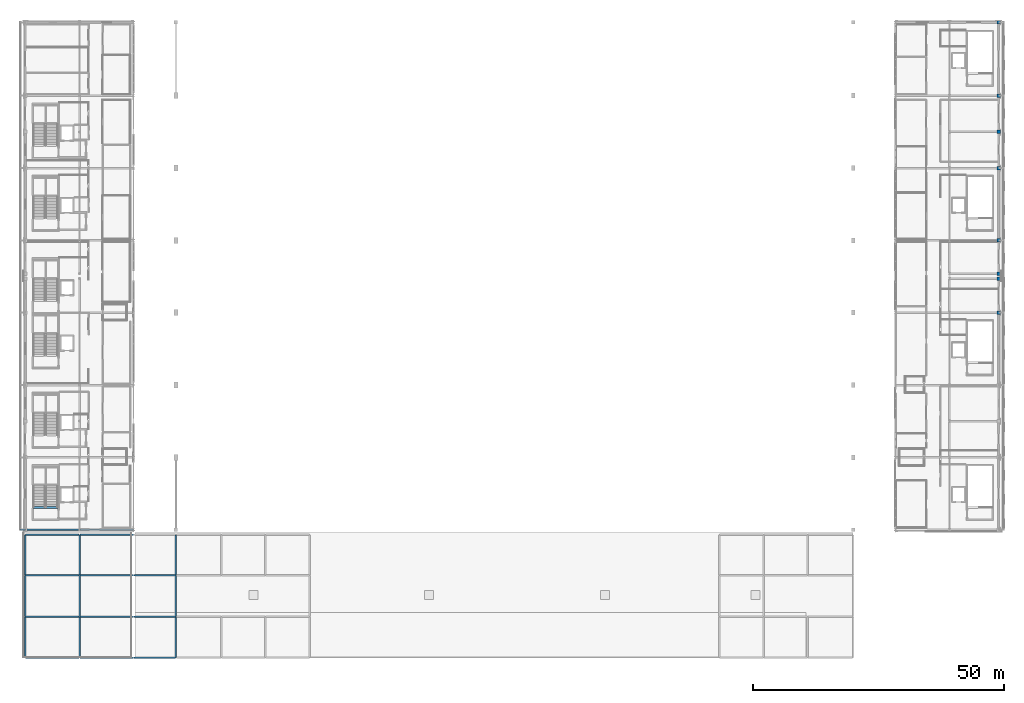
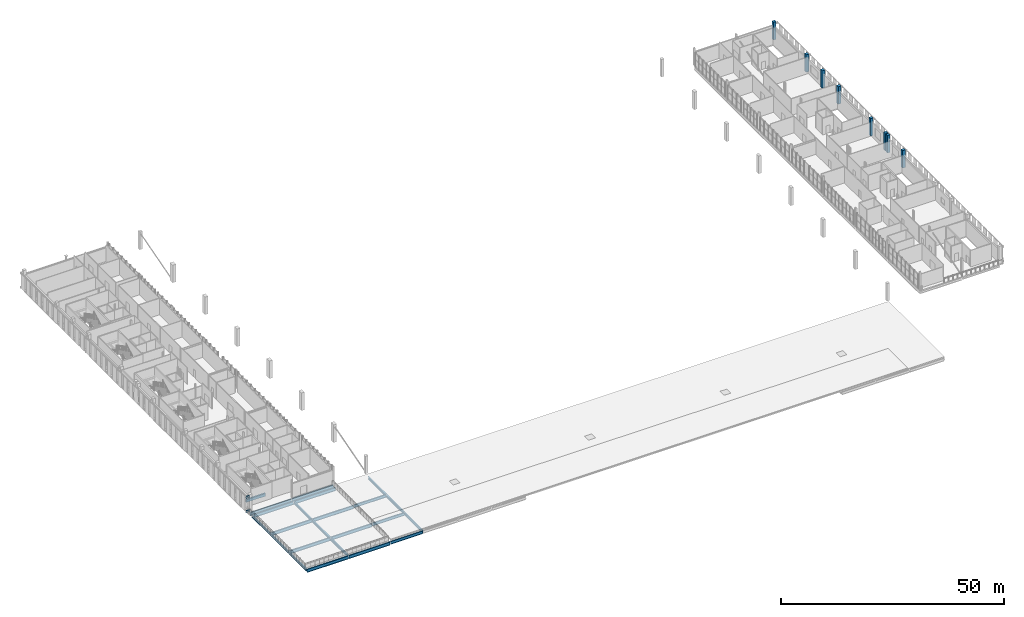
# One storey, part 6 of 51: 25 beams, 8 columns.
"""IFC4 building model written with IfcOpenShell, lengths in metres."""

from ifc_helpers import new_model, si_unit, direction, frame, origin, origin_2d, place, context, subcontext, project, spatial, rectangle, i_section, extrude, material, material_profile, profile_set, type_object, element, save


model = new_model("IFC4")

# Units and contexts
model_context = context("Model", 3, precision=1e-05, world=origin(), true_north=direction((0.0, 1.0)))
body_context = subcontext(model_context, "Body", "Model", "MODEL_VIEW")
ifc_project = project(units=[si_unit("LENGTHUNIT", "METRE"), si_unit("AREAUNIT", "SQUARE_METRE"), si_unit("VOLUMEUNIT", "CUBIC_METRE"), si_unit("PLANEANGLEUNIT", "RADIAN"), si_unit("MASSUNIT", "GRAM", prefix="KILO")], contexts=[model_context])

# Site, building, storey
site_placement = place(None, origin())
site = spatial("IfcSite", under=ifc_project, at=site_placement, CompositionType="ELEMENT")
building_placement = place(site_placement, origin())
building = spatial("IfcBuilding", under=site, at=building_placement, Name="Koshinbarg Plaza Stadium", CompositionType="ELEMENT")
storey_placement = place(building_placement, frame((0.0, 0.0, 24.60009765625)))
storey = spatial("IfcBuildingStorey", under=building, at=storey_placement, Name="L05", CompositionType="ELEMENT", Elevation=24.60009765625)

# Columns
ifc_material_1 = material(Name="Concrete C40/50", Category="concrete")
ifc_material_profile_1 = material_profile(ifc_material_1, rectangle(XDim=0.699951171875, YDim=0.699951171875, at=origin_2d()), Name="RC 700x700")
ifc_profile_set_1 = profile_set([ifc_material_profile_1], Name="Concrete C40/50")
column_type = type_object("IfcColumnType", Name="COL-RC-06", PredefinedType="COLUMN", material=ifc_profile_set_1)
for number, where, z_axis, x_axis, name in (
    (1, (218.39990234375, 68.699951171875, 0.0), (0.0, 0.0, 1.0), (1.0, 0.0, 0.0), "L05 column 21/J"),
    (2, (218.39990234375, 75.5, 0.0), (0.0, 0.0, 1.0), (1.0, 0.0, 0.0), "L05 column 21/K"),
    (3, (218.39990234375, 76.5, 0.0), (0.0, 0.0, 1.0), (1.0, 0.0, 0.0), "L05 column 21/L"),
    (4, (218.39990234375, 83.10009765625, 0.0), (0.0, 0.0, 1.0), (1.0, 0.0, 0.0), "L05 column 21/M"),
    (5, (218.39990234375, 97.5, 0.0), (0.0, 0.0, 1.0), (1.0, 0.0, 0.0), "L05 column 21/N"),
    (6, (218.39990234375, 104.699951171875, 0.0), (0.0, 0.0, 1.0), (1.0, 0.0, 0.0), "L05 column 21/P"),
    (7, (218.39990234375, 111.89990234375, 0.0), (0.0, 0.0, 1.0), (1.0, 0.0, 0.0), "L05 column 21/Q"),
    (8, (218.39990234375, 126.5, 0.0), (0.0, 0.0, 1.0), (1.0, 0.0, 0.0), "L05 column 21/R"),
):
    element("IfcColumn", number, at=place(storey_placement, frame(where, z_axis=z_axis, x_axis=x_axis)), inside=storey, type_object=column_type, Name=name, PredefinedType="COLUMN", context=body_context, shape_type="SweptSolid", body=[
        extrude(rectangle(XDim=0.699951171875, YDim=0.699951171875, at=origin_2d()), origin(), (0.0, 0.0, 1.0), 4.7998046875),
    ])

# Beams
ifc_material_2 = material(Name="Steel S355", Category="steel")
ifc_material_profile_2 = material_profile(ifc_material_2, i_section(OverallWidth=0.300048828125, OverallDepth=0.5, WebThickness=0.014404296875, FlangeThickness=0.028076171875, at=origin_2d()), Name="HEB 500")
ifc_profile_set_2 = profile_set([ifc_material_profile_2], Name="Steel S355")
beam_type_1 = type_object("IfcBeamType", Name="BM-CANOPY-CANT", PredefinedType="BEAM", material=ifc_profile_set_2)
for number, where, z_axis, x_axis, name in (
    (9, (24.60009765625, 25.5, 0.25), (-1.0, 0.0, 0.0), (0.0, -1.0, 0.0), "Outer screen cantilever outrigger W-L05-Y01"),
    (10, (24.60009765625, 25.5, 4.179931640625), (-1.0, 0.0, 0.0), (0.0, -1.0, 0.0), "Outer screen cantilever outrigger W-L05-Y01"),
):
    element("IfcBeam", number, at=place(storey_placement, frame(where, z_axis=z_axis, x_axis=x_axis)), inside=storey, type_object=beam_type_1, Name=name, PredefinedType="BEAM", context=body_context, shape_type="SweptSolid", body=[
        extrude(i_section(OverallWidth=0.300048828125, OverallDepth=0.5, WebThickness=0.014404296875, FlangeThickness=0.028076171875, at=origin_2d()), origin(), (0.0, 0.0, 1.0), 1.030029296875),
    ])
ifc_material_profile_3 = material_profile(ifc_material_1, rectangle(XDim=0.39990234375, YDim=0.75, at=origin_2d()), Name="RC 400x750")
ifc_profile_set_3 = profile_set([ifc_material_profile_3], Name="Concrete C40/50")
beam_type_2 = type_object("IfcBeamType", Name="BM-RCG-03", PredefinedType="USERDEFINED", material=ifc_profile_set_3)
beam_1_placement = place(storey_placement, frame((26.14990234375, 29.9599609375, -0.375), z_axis=(1.0, 0.0, 0.0), x_axis=(0.0, 1.0, 0.0)))
element("IfcBeam", 11, at=beam_1_placement, inside=storey, type_object=beam_type_2, Name="L05 stair landing header beam C01", ObjectType="GIRDER", PredefinedType="USERDEFINED", context=body_context, shape_type="SweptSolid", body=[
    extrude(rectangle(XDim=0.39990234375, YDim=0.75, at=origin_2d()), origin(), (0.0, 0.0, 1.0), 4.97021484375),
])
ifc_material_profile_4 = material_profile(ifc_material_2, i_section(OverallWidth=0.300048828125, OverallDepth=0.60009765625, WebThickness=0.015380859375, FlangeThickness=0.030029296875, at=origin_2d()), Name="HEB 600")
ifc_profile_set_4 = profile_set([ifc_material_profile_4], Name="Steel S355")
beam_type_3 = type_object("IfcBeamType", Name="BM-SGIR-02", PredefinedType="USERDEFINED", material=ifc_profile_set_4)
beam_2_placement = place(storey_placement, frame((24.60009765625, 0.06005859375, -0.66015625), z_axis=(0.0, 1.0, 0.0), x_axis=(-1.0, 0.0, 0.0)))
element("IfcBeam", 12, at=beam_2_placement, inside=storey, type_object=beam_type_3, Name="L05 Y girder 5/A-B", ObjectType="GIRDER", PredefinedType="USERDEFINED", context=body_context, shape_type="SweptSolid", body=[
    extrude(i_section(OverallWidth=0.300048828125, OverallDepth=0.60009765625, WebThickness=0.015380859375, FlangeThickness=0.030029296875, at=origin_2d()), origin(), (0.0, 0.0, 1.0), 8.079833984375),
])
beam_3_placement = place(storey_placement, frame((24.60009765625, 8.260009765625, -0.66015625), z_axis=(0.0, 1.0, 0.0), x_axis=(-1.0, 0.0, 0.0)))
element("IfcBeam", 13, at=beam_3_placement, inside=storey, type_object=beam_type_3, Name="L05 Y girder 5/B-C", ObjectType="GIRDER", PredefinedType="USERDEFINED", context=body_context, shape_type="SweptSolid", body=[
    extrude(i_section(OverallWidth=0.300048828125, OverallDepth=0.60009765625, WebThickness=0.015380859375, FlangeThickness=0.030029296875, at=origin_2d()), origin(), (0.0, 0.0, 1.0), 8.080078125),
])
beam_4_placement = place(storey_placement, frame((24.60009765625, 16.4599609375, -0.66015625), z_axis=(0.0, 1.0, 0.0), x_axis=(-1.0, 0.0, 0.0)))
element("IfcBeam", 14, at=beam_4_placement, inside=storey, type_object=beam_type_3, Name="L05 Y girder 5/C-D", ObjectType="GIRDER", PredefinedType="USERDEFINED", context=body_context, shape_type="SweptSolid", body=[
    extrude(i_section(OverallWidth=0.300048828125, OverallDepth=0.60009765625, WebThickness=0.015380859375, FlangeThickness=0.030029296875, at=origin_2d()), origin(), (0.0, 0.0, 1.0), 7.97998046875),
])
ifc_material_profile_5 = material_profile(ifc_material_2, i_section(OverallWidth=0.300048828125, OverallDepth=0.699951171875, WebThickness=0.01708984375, FlangeThickness=0.031982421875, at=origin_2d()), Name="HEB 700")
ifc_profile_set_5 = profile_set([ifc_material_profile_5], Name="Steel S355")
beam_type_4 = type_object("IfcBeamType", Name="BM-SGIR-03", PredefinedType="USERDEFINED", material=ifc_profile_set_5)
beam_5_placement = place(storey_placement, frame((35.39990234375, 0.06005859375, -0.710205078125), z_axis=(0.0, 1.0, 0.0), x_axis=(-1.0, 0.0, 0.0)))
element("IfcBeam", 15, at=beam_5_placement, inside=storey, type_object=beam_type_4, Name="L05 Y girder 6/A-B", ObjectType="GIRDER", PredefinedType="USERDEFINED", context=body_context, shape_type="SweptSolid", body=[
    extrude(i_section(OverallWidth=0.300048828125, OverallDepth=0.699951171875, WebThickness=0.01708984375, FlangeThickness=0.031982421875, at=origin_2d()), origin(), (0.0, 0.0, 1.0), 8.079833984375),
])
beam_6_placement = place(storey_placement, frame((35.39990234375, 8.260009765625, -0.710205078125), z_axis=(0.0, 1.0, 0.0), x_axis=(-1.0, 0.0, 0.0)))
element("IfcBeam", 16, at=beam_6_placement, inside=storey, type_object=beam_type_4, Name="L05 Y girder 6/B-C", ObjectType="GIRDER", PredefinedType="USERDEFINED", context=body_context, shape_type="SweptSolid", body=[
    extrude(i_section(OverallWidth=0.300048828125, OverallDepth=0.699951171875, WebThickness=0.01708984375, FlangeThickness=0.031982421875, at=origin_2d()), origin(), (0.0, 0.0, 1.0), 8.080078125),
])
beam_7_placement = place(storey_placement, frame((35.39990234375, 16.4599609375, -0.710205078125), z_axis=(0.0, 1.0, 0.0), x_axis=(-1.0, 0.0, 0.0)))
element("IfcBeam", 17, at=beam_7_placement, inside=storey, type_object=beam_type_4, Name="L05 Y girder 6/C-D", ObjectType="GIRDER", PredefinedType="USERDEFINED", context=body_context, shape_type="SweptSolid", body=[
    extrude(i_section(OverallWidth=0.300048828125, OverallDepth=0.699951171875, WebThickness=0.01708984375, FlangeThickness=0.031982421875, at=origin_2d()), origin(), (0.0, 0.0, 1.0), 7.97998046875),
])
beam_8_placement = place(storey_placement, frame((54.60009765625, 0.06005859375, -0.650146484375), z_axis=(0.0, 1.0, 0.0), x_axis=(-1.0, 0.0, 0.0)))
element("IfcBeam", 18, at=beam_8_placement, inside=storey, type_object=beam_type_4, Name="L05 Y girder 8/A-B", ObjectType="GIRDER", PredefinedType="USERDEFINED", context=body_context, shape_type="SweptSolid", body=[
    extrude(i_section(OverallWidth=0.300048828125, OverallDepth=0.699951171875, WebThickness=0.01708984375, FlangeThickness=0.031982421875, at=origin_2d()), origin(), (0.0, 0.0, 1.0), 8.079833984375),
])
beam_9_placement = place(storey_placement, frame((54.60009765625, 8.260009765625, -0.650146484375), z_axis=(0.0, 1.0, 0.0), x_axis=(-1.0, 0.0, 0.0)))
element("IfcBeam", 19, at=beam_9_placement, inside=storey, type_object=beam_type_4, Name="L05 Y girder 8/B-C", ObjectType="GIRDER", PredefinedType="USERDEFINED", context=body_context, shape_type="SweptSolid", body=[
    extrude(i_section(OverallWidth=0.300048828125, OverallDepth=0.699951171875, WebThickness=0.01708984375, FlangeThickness=0.031982421875, at=origin_2d()), origin(), (0.0, 0.0, 1.0), 8.080078125),
])
beam_10_placement = place(storey_placement, frame((54.60009765625, 16.4599609375, -0.650146484375), z_axis=(0.0, 1.0, 0.0), x_axis=(-1.0, 0.0, 0.0)))
element("IfcBeam", 20, at=beam_10_placement, inside=storey, type_object=beam_type_4, Name="L05 Y girder 8/C-D", ObjectType="GIRDER", PredefinedType="USERDEFINED", context=body_context, shape_type="SweptSolid", body=[
    extrude(i_section(OverallWidth=0.300048828125, OverallDepth=0.699951171875, WebThickness=0.01708984375, FlangeThickness=0.031982421875, at=origin_2d()), origin(), (0.0, 0.0, 1.0), 7.97998046875),
])
ifc_material_profile_6 = material_profile(ifc_material_2, i_section(OverallWidth=0.300048828125, OverallDepth=0.800048828125, WebThickness=0.017578125, FlangeThickness=0.032958984375, at=origin_2d()), Name="HEB 800")
ifc_profile_set_6 = profile_set([ifc_material_profile_6], Name="Steel S355")
beam_type_5 = type_object("IfcBeamType", Name="BM-SGIR-04", PredefinedType="USERDEFINED", material=ifc_profile_set_6)
for number, where, z_axis, x_axis, name in (
    (21, (46.260009765625, 0.0, -0.7001953125), (1.0, 0.0, 0.0), (0.0, 1.0, 0.0), "L05 X girder A/7-8"),
    (22, (46.260009765625, 8.199951171875, -0.7001953125), (1.0, 0.0, 0.0), (0.0, 1.0, 0.0), "L05 X girder B/7-8"),
    (23, (46.260009765625, 16.39990234375, -0.7001953125), (1.0, 0.0, 0.0), (0.0, 1.0, 0.0), "L05 X girder C/7-8"),
):
    element("IfcBeam", number, at=place(storey_placement, frame(where, z_axis=z_axis, x_axis=x_axis)), inside=storey, type_object=beam_type_5, Name=name, ObjectType="GIRDER", PredefinedType="USERDEFINED", context=body_context, shape_type="SweptSolid", body=[
        extrude(i_section(OverallWidth=0.300048828125, OverallDepth=0.800048828125, WebThickness=0.017578125, FlangeThickness=0.032958984375, at=origin_2d()), origin(), (0.0, 0.0, 1.0), 8.280029296875),
    ])
ifc_material_profile_7 = material_profile(ifc_material_2, i_section(OverallWidth=0.300048828125, OverallDepth=0.89990234375, WebThickness=0.0185546875, FlangeThickness=0.034912109375, at=origin_2d()), Name="HEB 900")
ifc_profile_set_7 = profile_set([ifc_material_profile_7], Name="Steel S355")
beam_type_6 = type_object("IfcBeamType", Name="BM-SGIR-05", PredefinedType="USERDEFINED", material=ifc_profile_set_7)
beam_11_placement = place(storey_placement, frame((24.659912109375, 0.0, -0.81005859375), z_axis=(1.0, 0.0, 0.0), x_axis=(0.0, 1.0, 0.0)))
element("IfcBeam", 24, at=beam_11_placement, inside=storey, type_object=beam_type_6, Name="L05 X girder A/5-6", ObjectType="GIRDER", PredefinedType="USERDEFINED", context=body_context, shape_type="SweptSolid", body=[
    extrude(i_section(OverallWidth=0.300048828125, OverallDepth=0.89990234375, WebThickness=0.0185546875, FlangeThickness=0.034912109375, at=origin_2d()), origin(), (0.0, 0.0, 1.0), 10.68017578125),
])
beam_12_placement = place(storey_placement, frame((35.4599609375, 0.0, -0.81005859375), z_axis=(1.0, 0.0, 0.0), x_axis=(0.0, 1.0, 0.0)))
element("IfcBeam", 25, at=beam_12_placement, inside=storey, type_object=beam_type_6, Name="L05 X girder A/6-7", ObjectType="GIRDER", PredefinedType="USERDEFINED", context=body_context, shape_type="SweptSolid", body=[
    extrude(i_section(OverallWidth=0.300048828125, OverallDepth=0.89990234375, WebThickness=0.0185546875, FlangeThickness=0.034912109375, at=origin_2d()), origin(), (0.0, 0.0, 1.0), 10.679931640625),
])
beam_13_placement = place(storey_placement, frame((24.659912109375, 8.199951171875, -0.81005859375), z_axis=(1.0, 0.0, 0.0), x_axis=(0.0, 1.0, 0.0)))
element("IfcBeam", 26, at=beam_13_placement, inside=storey, type_object=beam_type_6, Name="L05 X girder B/5-6", ObjectType="GIRDER", PredefinedType="USERDEFINED", context=body_context, shape_type="SweptSolid", body=[
    extrude(i_section(OverallWidth=0.300048828125, OverallDepth=0.89990234375, WebThickness=0.0185546875, FlangeThickness=0.034912109375, at=origin_2d()), origin(), (0.0, 0.0, 1.0), 10.68017578125),
])
beam_14_placement = place(storey_placement, frame((35.4599609375, 8.199951171875, -0.81005859375), z_axis=(1.0, 0.0, 0.0), x_axis=(0.0, 1.0, 0.0)))
element("IfcBeam", 27, at=beam_14_placement, inside=storey, type_object=beam_type_6, Name="L05 X girder B/6-7", ObjectType="GIRDER", PredefinedType="USERDEFINED", context=body_context, shape_type="SweptSolid", body=[
    extrude(i_section(OverallWidth=0.300048828125, OverallDepth=0.89990234375, WebThickness=0.0185546875, FlangeThickness=0.034912109375, at=origin_2d()), origin(), (0.0, 0.0, 1.0), 10.679931640625),
])
beam_15_placement = place(storey_placement, frame((24.659912109375, 16.39990234375, -0.81005859375), z_axis=(1.0, 0.0, 0.0), x_axis=(0.0, 1.0, 0.0)))
element("IfcBeam", 28, at=beam_15_placement, inside=storey, type_object=beam_type_6, Name="L05 X girder C/5-6", ObjectType="GIRDER", PredefinedType="USERDEFINED", context=body_context, shape_type="SweptSolid", body=[
    extrude(i_section(OverallWidth=0.300048828125, OverallDepth=0.89990234375, WebThickness=0.0185546875, FlangeThickness=0.034912109375, at=origin_2d()), origin(), (0.0, 0.0, 1.0), 10.68017578125),
])
beam_16_placement = place(storey_placement, frame((35.4599609375, 16.39990234375, -0.81005859375), z_axis=(1.0, 0.0, 0.0), x_axis=(0.0, 1.0, 0.0)))
element("IfcBeam", 29, at=beam_16_placement, inside=storey, type_object=beam_type_6, Name="L05 X girder C/6-7", ObjectType="GIRDER", PredefinedType="USERDEFINED", context=body_context, shape_type="SweptSolid", body=[
    extrude(i_section(OverallWidth=0.300048828125, OverallDepth=0.89990234375, WebThickness=0.0185546875, FlangeThickness=0.034912109375, at=origin_2d()), origin(), (0.0, 0.0, 1.0), 10.679931640625),
])
beam_17_placement = place(storey_placement, frame((24.659912109375, 24.5, -0.81005859375), z_axis=(1.0, 0.0, 0.0), x_axis=(0.0, 1.0, 0.0)))
element("IfcBeam", 30, at=beam_17_placement, inside=storey, type_object=beam_type_6, Name="L05 X girder D/5-6", ObjectType="GIRDER", PredefinedType="USERDEFINED", context=body_context, shape_type="SweptSolid", body=[
    extrude(i_section(OverallWidth=0.300048828125, OverallDepth=0.89990234375, WebThickness=0.0185546875, FlangeThickness=0.034912109375, at=origin_2d()), origin(), (0.0, 0.0, 1.0), 10.68017578125),
])
beam_18_placement = place(storey_placement, frame((35.4599609375, 24.5, -0.81005859375), z_axis=(1.0, 0.0, 0.0), x_axis=(0.0, 1.0, 0.0)))
element("IfcBeam", 31, at=beam_18_placement, inside=storey, type_object=beam_type_6, Name="L05 X girder D/6-7", ObjectType="GIRDER", PredefinedType="USERDEFINED", context=body_context, shape_type="SweptSolid", body=[
    extrude(i_section(OverallWidth=0.300048828125, OverallDepth=0.89990234375, WebThickness=0.0185546875, FlangeThickness=0.034912109375, at=origin_2d()), origin(), (0.0, 0.0, 1.0), 10.679931640625),
])
beam_19_placement = place(storey_placement, frame((24.659912109375, 25.5, -0.75), z_axis=(1.0, 0.0, 0.0), x_axis=(0.0, 1.0, 0.0)))
element("IfcBeam", 32, at=beam_19_placement, inside=storey, type_object=beam_type_6, Name="L05 X girder E/5-6", ObjectType="GIRDER", PredefinedType="USERDEFINED", context=body_context, shape_type="SweptSolid", body=[
    extrude(i_section(OverallWidth=0.300048828125, OverallDepth=0.89990234375, WebThickness=0.0185546875, FlangeThickness=0.034912109375, at=origin_2d()), origin(), (0.0, 0.0, 1.0), 10.68017578125),
])
beam_20_placement = place(storey_placement, frame((35.4599609375, 25.5, -0.75), z_axis=(1.0, 0.0, 0.0), x_axis=(0.0, 1.0, 0.0)))
element("IfcBeam", 33, at=beam_20_placement, inside=storey, type_object=beam_type_6, Name="L05 X girder E/6-7", ObjectType="GIRDER", PredefinedType="USERDEFINED", context=body_context, shape_type="SweptSolid", body=[
    extrude(i_section(OverallWidth=0.300048828125, OverallDepth=0.89990234375, WebThickness=0.0185546875, FlangeThickness=0.034912109375, at=origin_2d()), origin(), (0.0, 0.0, 1.0), 10.679931640625),
])

save(model, "model.ifc")
